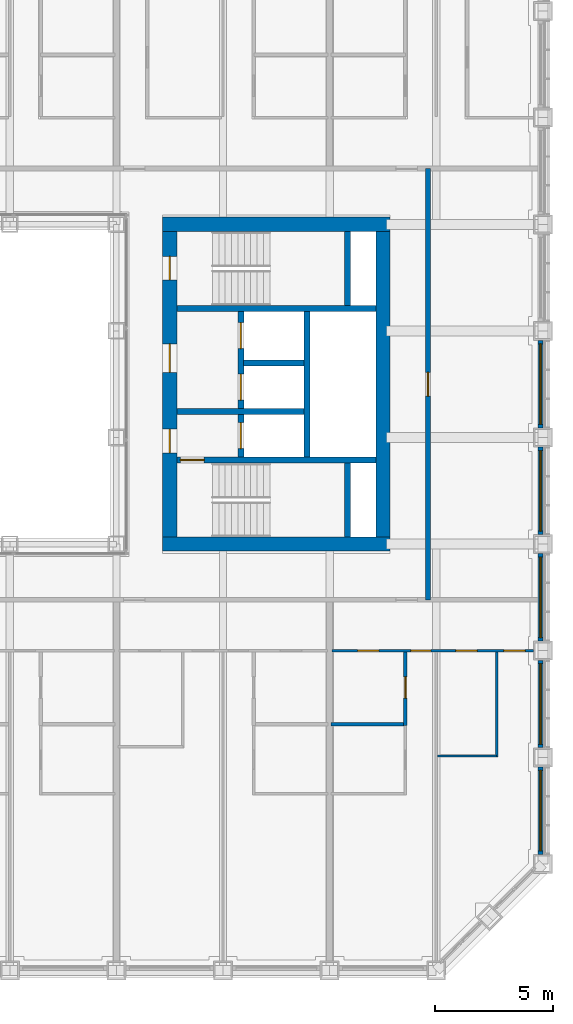
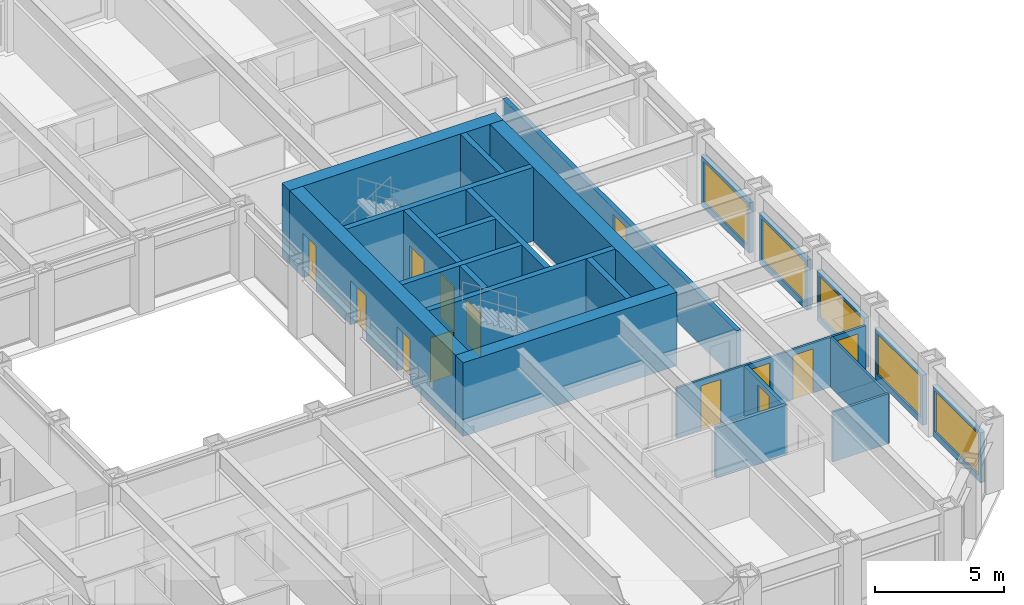
# One storey, part 12 of 21: 23 walls, 13 doors, 5 windows, 18 openings.
"""IFC4 building model written with IfcOpenShell, lengths in metres."""

from ifc_helpers import new_model, si_unit, direction, frame, frame_2d, origin, place, context, subcontext, project, spatial, rectangle, extrude, material, layer, layer_set, type_object, element, fill, save


model = new_model("IFC4")

# Units and contexts
model_context = context("Model", 3, precision=1e-05, world=origin(), true_north=direction((0.0, 1.0)))
body_context = subcontext(model_context, "Body", "Model", "MODEL_VIEW")
ifc_project = project(units=[si_unit("LENGTHUNIT", "METRE"), si_unit("AREAUNIT", "SQUARE_METRE"), si_unit("VOLUMEUNIT", "CUBIC_METRE"), si_unit("PLANEANGLEUNIT", "RADIAN"), si_unit("MASSUNIT", "GRAM", prefix="KILO")], contexts=[model_context])

# Site, building, storey
site_placement = place(None, origin())
site = spatial("IfcSite", under=ifc_project, at=site_placement, CompositionType="ELEMENT")
building_placement = place(site_placement, origin())
building = spatial("IfcBuilding", under=site, at=building_placement, Name="Msasa Ring Tower", CompositionType="ELEMENT")
storey_placement = place(building_placement, frame((0.0, 0.0, 51.0)))
storey = spatial("IfcBuildingStorey", under=building, at=storey_placement, Name="L12", CompositionType="ELEMENT", Elevation=51.0)

# Walls
ifc_material_1 = material(Name="Concrete C60/75", Category="concrete")
ifc_layer_1 = layer(ifc_material_1, 0.60009765625)
ifc_layer_set_1 = layer_set([ifc_layer_1], Name="CW1 CORE WALL 600")
wall_type_1 = type_object("IfcWallType", Name="CW1 CORE WALL 600", PredefinedType="SHEAR", material=ifc_layer_set_1)
for number, where, z_axis, x_axis, name in (
    (1, (8.699951171875, -6.75, 0.0), (0.0, 0.0, 1.0), (1.0, 0.0, 0.0), "E core wall S L12"),
    (2, (8.699951171875, 6.75, 0.0), (0.0, 0.0, 1.0), (1.0, 0.0, 0.0), "E core wall N L12"),
):
    element("IfcWall", number, at=place(storey_placement, frame(where, z_axis=z_axis, x_axis=x_axis)), inside=storey, type_object=wall_type_1, Name=name, PredefinedType="SHEAR", context=body_context, shape_type="SweptSolid", body=[
        extrude(rectangle(XDim=9.60009765625, YDim=0.60009765625, at=frame_2d((4.800048828125, 0.0))), origin(), (0.0, 0.0, 1.0), 3.5),
    ])

# Wall, openings, doors
wall_1_placement = place(storey_placement, frame((9.0, -6.449951171875, 0.0), z_axis=(0.0, 0.0, 1.0), x_axis=(0.0, 1.0, 0.0)))
wall_1 = element("IfcWall", 3, at=wall_1_placement, inside=storey, type_object=wall_type_1, Name="E core wall W L12", PredefinedType="SHEAR", context=body_context, shape_type="SweptSolid", body=[
    extrude(rectangle(XDim=12.89990234375, YDim=0.60009765625, at=frame_2d((6.449951171875, 0.0))), origin(), (0.0, 0.0, 1.0), 3.5),
])
opening_1_placement = place(wall_1_placement, frame((3.550048828125, 0.0, 0.0)))
opening_1 = element("IfcOpeningElement", 4, at=opening_1_placement, cuts=wall_1, Name="Opening RC-043", PredefinedType="OPENING", context=body_context, shape_type="SweptSolid", body=[
    extrude(rectangle(XDim=1.0, YDim=2.10009765625, at=frame_2d((0.5, 1.050048828125))), frame((0.0, 0.31005859375, 0.0), z_axis=(0.0, -1.0, 0.0), x_axis=(1.0, 0.0, 0.0)), (0.0, 0.0, 1.0), 0.6201171875),
])
opening_2_placement = place(wall_1_placement, frame((6.949951171875, 0.0, 0.0)))
opening_2 = element("IfcOpeningElement", 5, at=opening_2_placement, cuts=wall_1, Name="Opening RC-039", PredefinedType="OPENING", context=body_context, shape_type="SweptSolid", body=[
    extrude(rectangle(XDim=1.199951171875, YDim=2.10009765625, at=frame_2d((0.60009765625, 1.050048828125))), frame((0.0, 0.31005859375, 0.0), z_axis=(0.0, -1.0, 0.0), x_axis=(1.0, 0.0, 0.0)), (0.0, 0.0, 1.0), 0.6201171875),
])
opening_3_placement = place(wall_1_placement, frame((10.85009765625, 0.0, 0.0)))
opening_3 = element("IfcOpeningElement", 6, at=opening_3_placement, cuts=wall_1, Name="Opening RC-037", PredefinedType="OPENING", context=body_context, shape_type="SweptSolid", body=[
    extrude(rectangle(XDim=1.0, YDim=2.10009765625, at=frame_2d((0.5, 1.050048828125))), frame((0.0, 0.31005859375, 0.0), z_axis=(0.0, -1.0, 0.0), x_axis=(1.0, 0.0, 0.0)), (0.0, 0.0, 1.0), 0.6201171875),
])
ifc_material_2 = material(Name="Timber door leaf in a steel frame", Category="steel")
door_type_1 = type_object("IfcDoorType", Name="D4 LOBBY DOOR 1000x2100", OperationType="SINGLE_SWING_LEFT", PredefinedType="DOOR", material=ifc_material_2)
door_1_placement = place(opening_1_placement, origin())
door_1 = element("IfcDoor", 7, at=door_1_placement, inside=storey, type_object=door_type_1, Name="Door L12-EFFL", OperationType="SINGLE_SWING_LEFT", OverallHeight=2.10009765625, OverallWidth=1.0, PredefinedType="DOOR", context=body_context, shape_type="SweptSolid", body=[
    extrude(rectangle(XDim=1.0, YDim=2.10009765625, at=frame_2d((0.5, 1.050048828125))), frame((0.0, 0.02490234375, 0.0), z_axis=(0.0, -1.0, 0.0), x_axis=(1.0, 0.0, 0.0)), (0.0, 0.0, 1.0), 0.050048828125),
])
fill(opening_1, door_1)
ifc_material_3 = material(Name="Timber door leaf in a steel frame", Category="steel")
door_type_2 = type_object("IfcDoorType", Name="D5 WIDE LOBBY DOOR 1200x2100", OperationType="SINGLE_SWING_LEFT", PredefinedType="DOOR", material=ifc_material_3)
door_2_placement = place(opening_2_placement, origin())
door_2 = element("IfcDoor", 8, at=door_2_placement, inside=storey, type_object=door_type_2, Name="Door L12-ELL", OperationType="SINGLE_SWING_RIGHT", OverallHeight=2.10009765625, OverallWidth=1.199951171875, PredefinedType="DOOR", context=body_context, shape_type="SweptSolid", body=[
    extrude(rectangle(XDim=1.199951171875, YDim=2.10009765625, at=frame_2d((0.60009765625, 1.050048828125))), frame((0.0, 0.02490234375, 0.0), z_axis=(0.0, -1.0, 0.0), x_axis=(1.0, 0.0, 0.0)), (0.0, 0.0, 1.0), 0.050048828125),
])
fill(opening_2, door_2)
ifc_material_4 = material(Name="Timber door leaf in a steel frame", Category="steel")
door_type_3 = type_object("IfcDoorType", Name="D6 STAIR DOOR 1000x2100", OperationType="SINGLE_SWING_LEFT", PredefinedType="DOOR", material=ifc_material_4)
door_3_placement = place(opening_3_placement, origin())
door_3 = element("IfcDoor", 9, at=door_3_placement, inside=storey, type_object=door_type_3, Name="Door L12-ESTB", OperationType="SINGLE_SWING_RIGHT", OverallHeight=2.10009765625, OverallWidth=1.0, PredefinedType="DOOR", context=body_context, shape_type="SweptSolid", body=[
    extrude(rectangle(XDim=1.0, YDim=2.10009765625, at=frame_2d((0.5, 1.050048828125))), frame((0.0, 0.02490234375, 0.0), z_axis=(0.0, -1.0, 0.0), x_axis=(1.0, 0.0, 0.0)), (0.0, 0.0, 1.0), 0.050048828125),
])
fill(opening_3, door_3)

# Wall
wall_2_placement = place(storey_placement, frame((18.0, -6.449951171875, 0.0), z_axis=(0.0, 0.0, 1.0), x_axis=(0.0, 1.0, 0.0)))
element("IfcWall", 10, at=wall_2_placement, inside=storey, type_object=wall_type_1, Name="E core wall E L12", PredefinedType="SHEAR", context=body_context, shape_type="SweptSolid", body=[
    extrude(rectangle(XDim=12.89990234375, YDim=0.60009765625, at=frame_2d((6.449951171875, 0.0))), origin(), (0.0, 0.0, 1.0), 3.5),
])

# Wall, opening, door
ifc_material_5 = material(Name="Concrete C60/75", Category="concrete")
ifc_layer_2 = layer(ifc_material_5, 0.25)
ifc_layer_set_2 = layer_set([ifc_layer_2], Name="CW4 CORE INNER WALL 250")
wall_type_2 = type_object("IfcWallType", Name="CW4 CORE INNER WALL 250", PredefinedType="SHEAR", material=ifc_layer_set_2)
wall_3_placement = place(storey_placement, frame((9.300048828125, -3.199951171875, 0.0), z_axis=(0.0, 0.0, 1.0), x_axis=(1.0, 0.0, 0.0)))
wall_3 = element("IfcWall", 11, at=wall_3_placement, inside=storey, type_object=wall_type_2, Name="E core wall STAIRA L12", PredefinedType="SHEAR", context=body_context, shape_type="SweptSolid", body=[
    extrude(rectangle(XDim=8.39990234375, YDim=0.25, at=frame_2d((4.199951171875, 0.0))), origin(), (0.0, 0.0, 1.0), 3.5),
])
opening_4_placement = place(wall_3_placement, frame((0.14990234375, 0.0, 0.0)))
opening_4 = element("IfcOpeningElement", 12, at=opening_4_placement, cuts=wall_3, Name="Opening RC-045", PredefinedType="OPENING", context=body_context, shape_type="SweptSolid", body=[
    extrude(rectangle(XDim=1.0, YDim=2.10009765625, at=frame_2d((0.5, 1.050048828125))), frame((0.0, 0.135009765625, 0.0), z_axis=(0.0, -1.0, 0.0), x_axis=(1.0, 0.0, 0.0)), (0.0, 0.0, 1.0), 0.27001953125),
])
door_4_placement = place(opening_4_placement, origin())
door_4 = element("IfcDoor", 13, at=door_4_placement, inside=storey, type_object=door_type_3, Name="Door L12-ESTA", OperationType="SINGLE_SWING_LEFT", OverallHeight=2.10009765625, OverallWidth=1.0, PredefinedType="DOOR", context=body_context, shape_type="SweptSolid", body=[
    extrude(rectangle(XDim=1.0, YDim=2.10009765625, at=frame_2d((0.5, 1.050048828125))), frame((0.0, 0.02490234375, 0.0), z_axis=(0.0, -1.0, 0.0), x_axis=(1.0, 0.0, 0.0)), (0.0, 0.0, 1.0), 0.050048828125),
])
fill(opening_4, door_4)

# Walls
wall_4_placement = place(storey_placement, frame((9.300048828125, 3.199951171875, 0.0), z_axis=(0.0, 0.0, 1.0), x_axis=(1.0, 0.0, 0.0)))
element("IfcWall", 14, at=wall_4_placement, inside=storey, type_object=wall_type_2, Name="E core wall STAIRB L12", PredefinedType="SHEAR", context=body_context, shape_type="SweptSolid", body=[
    extrude(rectangle(XDim=8.39990234375, YDim=0.25, at=frame_2d((4.199951171875, 0.0))), origin(), (0.0, 0.0, 1.0), 3.5),
])
for number, where, z_axis, x_axis, name in (
    (15, (16.5, -6.449951171875, 0.0), (0.0, 0.0, 1.0), (0.0, 1.0, 0.0), "E core wall RISERA L12"),
    (16, (16.5, 3.324951171875, 0.0), (0.0, 0.0, 1.0), (0.0, 1.0, 0.0), "E core wall RISERB L12"),
):
    element("IfcWall", number, at=place(storey_placement, frame(where, z_axis=z_axis, x_axis=x_axis)), inside=storey, type_object=wall_type_2, Name=name, PredefinedType="SHEAR", context=body_context, shape_type="SweptSolid", body=[
        extrude(rectangle(XDim=3.125, YDim=0.25, at=frame_2d((1.5625, 0.0))), origin(), (0.0, 0.0, 1.0), 3.5),
    ])
wall_5_placement = place(storey_placement, frame((9.300048828125, -1.14990234375, 0.0), z_axis=(0.0, 0.0, 1.0), x_axis=(1.0, 0.0, 0.0)))
element("IfcWall", 17, at=wall_5_placement, inside=storey, type_object=wall_type_2, Name="E core wall FFL L12", PredefinedType="SHEAR", context=body_context, shape_type="SweptSolid", body=[
    extrude(rectangle(XDim=5.375, YDim=0.25, at=frame_2d((2.6875, 0.0))), origin(), (0.0, 0.0, 1.0), 3.5),
])

# Wall, openings, doors
wall_6_placement = place(storey_placement, frame((12.0, -3.074951171875, 0.0), z_axis=(0.0, 0.0, 1.0), x_axis=(0.0, 1.0, 0.0)))
wall_6 = element("IfcWall", 18, at=wall_6_placement, inside=storey, type_object=wall_type_2, Name="E core wall LOBBY L12", PredefinedType="SHEAR", context=body_context, shape_type="SweptSolid", body=[
    extrude(rectangle(XDim=6.14990234375, YDim=0.25, at=frame_2d((3.074951171875, 0.0))), origin(), (0.0, 0.0, 1.0), 3.5),
])
opening_5_placement = place(wall_6_placement, frame((0.35009765625, 0.0, 0.0)))
opening_5 = element("IfcOpeningElement", 19, at=opening_5_placement, cuts=wall_6, Name="Opening LD1", PredefinedType="OPENING", context=body_context, shape_type="SweptSolid", body=[
    extrude(rectangle(XDim=1.10009765625, YDim=2.10009765625, at=frame_2d((0.550048828125, 1.050048828125))), frame((0.0, 0.135009765625, 0.0), z_axis=(0.0, -1.0, 0.0), x_axis=(1.0, 0.0, 0.0)), (0.0, 0.0, 1.0), 0.27001953125),
])
opening_6_placement = place(wall_6_placement, frame((2.39990234375, 0.0, 0.0)))
opening_6 = element("IfcOpeningElement", 20, at=opening_6_placement, cuts=wall_6, Name="Opening LD1", PredefinedType="OPENING", context=body_context, shape_type="SweptSolid", body=[
    extrude(rectangle(XDim=1.10009765625, YDim=2.10009765625, at=frame_2d((0.550048828125, 1.050048828125))), frame((0.0, 0.135009765625, 0.0), z_axis=(0.0, -1.0, 0.0), x_axis=(1.0, 0.0, 0.0)), (0.0, 0.0, 1.0), 0.27001953125),
])
opening_7_placement = place(wall_6_placement, frame((4.574951171875, 0.0, 0.0)))
opening_7 = element("IfcOpeningElement", 21, at=opening_7_placement, cuts=wall_6, Name="Opening LD1", PredefinedType="OPENING", context=body_context, shape_type="SweptSolid", body=[
    extrude(rectangle(XDim=1.10009765625, YDim=2.10009765625, at=frame_2d((0.550048828125, 1.050048828125))), frame((0.0, 0.135009765625, 0.0), z_axis=(0.0, -1.0, 0.0), x_axis=(1.0, 0.0, 0.0)), (0.0, 0.0, 1.0), 0.27001953125),
])
ifc_material_6 = material(Name="Stainless steel lift landing door", Category="steel")
door_type_4 = type_object("IfcDoorType", Name="LD1 LIFT LANDING DOOR 1100x2100", OperationType="DOUBLE_DOOR_SLIDING", PredefinedType="DOOR", material=ifc_material_6)
door_5_placement = place(opening_5_placement, origin())
door_5 = element("IfcDoor", 22, at=door_5_placement, inside=storey, type_object=door_type_4, Name="Lift landing door FL-E L12", OperationType="DOUBLE_DOOR_SLIDING", OverallHeight=2.10009765625, OverallWidth=1.10009765625, PredefinedType="DOOR", context=body_context, shape_type="SweptSolid", body=[
    extrude(rectangle(XDim=1.10009765625, YDim=2.10009765625, at=frame_2d((0.550048828125, 1.050048828125))), frame((0.0, 0.02490234375, 0.0), z_axis=(0.0, -1.0, 0.0), x_axis=(1.0, 0.0, 0.0)), (0.0, 0.0, 1.0), 0.050048828125),
])
fill(opening_5, door_5)
door_6_placement = place(opening_6_placement, origin())
door_6 = element("IfcDoor", 23, at=door_6_placement, inside=storey, type_object=door_type_4, Name="Lift landing door PL-R1 L12", OperationType="DOUBLE_DOOR_SLIDING", OverallHeight=2.10009765625, OverallWidth=1.10009765625, PredefinedType="DOOR", context=body_context, shape_type="SweptSolid", body=[
    extrude(rectangle(XDim=1.10009765625, YDim=2.10009765625, at=frame_2d((0.550048828125, 1.050048828125))), frame((0.0, 0.02490234375, 0.0), z_axis=(0.0, -1.0, 0.0), x_axis=(1.0, 0.0, 0.0)), (0.0, 0.0, 1.0), 0.050048828125),
])
fill(opening_6, door_6)
door_7_placement = place(opening_7_placement, origin())
door_7 = element("IfcDoor", 24, at=door_7_placement, inside=storey, type_object=door_type_4, Name="Lift landing door PL-R2 L12", OperationType="DOUBLE_DOOR_SLIDING", OverallHeight=2.10009765625, OverallWidth=1.10009765625, PredefinedType="DOOR", context=body_context, shape_type="SweptSolid", body=[
    extrude(rectangle(XDim=1.10009765625, YDim=2.10009765625, at=frame_2d((0.550048828125, 1.050048828125))), frame((0.0, 0.02490234375, 0.0), z_axis=(0.0, -1.0, 0.0), x_axis=(1.0, 0.0, 0.0)), (0.0, 0.0, 1.0), 0.050048828125),
])
fill(opening_7, door_7)

# Walls
wall_7_placement = place(storey_placement, frame((14.800048828125, -3.074951171875, 0.0), z_axis=(0.0, 0.0, 1.0), x_axis=(0.0, 1.0, 0.0)))
element("IfcWall", 25, at=wall_7_placement, inside=storey, type_object=wall_type_2, Name="E core wall SHAFT L12", PredefinedType="SHEAR", context=body_context, shape_type="SweptSolid", body=[
    extrude(rectangle(XDim=6.14990234375, YDim=0.25, at=frame_2d((3.074951171875, 0.0))), origin(), (0.0, 0.0, 1.0), 3.5),
])
wall_8_placement = place(storey_placement, frame((12.125, 0.89990234375, 0.0), z_axis=(0.0, 0.0, 1.0), x_axis=(1.0, 0.0, 0.0)))
element("IfcWall", 26, at=wall_8_placement, inside=storey, type_object=wall_type_2, Name="E core wall LIFT1 L12", PredefinedType="SHEAR", context=body_context, shape_type="SweptSolid", body=[
    extrude(rectangle(XDim=2.550048828125, YDim=0.25, at=frame_2d((1.27490234375, 0.0))), origin(), (0.0, 0.0, 1.0), 3.5),
])

# Wall, opening, window
ifc_material_7 = material(Name="Terracotta rainscreen on blockwork", Category="masonry")
ifc_layer_3 = layer(ifc_material_7, 0.199951171875)
ifc_layer_set_3 = layer_set([ifc_layer_3], Name="FW1 TERRACOTTA-LINED INFILL BAY WALL 200")
wall_type_3 = type_object("IfcWallType", Name="FW1 TERRACOTTA-LINED INFILL BAY WALL 200", PredefinedType="SOLIDWALL", material=ifc_layer_set_3)
wall_9_placement = place(storey_placement, frame((24.64990234375, -19.844970703125, 0.0), z_axis=(0.0, 0.0, 1.0), x_axis=(0.0, 1.0, 0.0)))
wall_9 = element("IfcWall", 27, at=wall_9_placement, inside=storey, type_object=wall_type_3, Name="Infill bay wall E L12 11", PredefinedType="SOLIDWALL", context=body_context, shape_type="SweptSolid", body=[
    extrude(rectangle(XDim=3.68994140625, YDim=0.199951171875, at=frame_2d((1.844970703125, 0.0))), origin(), (0.0, 0.0, 1.0), 2.37890625),
])
opening_8_placement = place(wall_9_placement, frame((0.14501953125, 0.0, 0.300048828125)))
opening_8 = element("IfcOpeningElement", 28, at=opening_8_placement, cuts=wall_9, Name="Opening WN1", PredefinedType="OPENING", context=body_context, shape_type="SweptSolid", body=[
    extrude(rectangle(XDim=3.39990234375, YDim=1.928955078125, at=frame_2d((1.699951171875, 0.96435546875))), frame((0.0, 0.10986328125, 0.0), z_axis=(0.0, -1.0, 0.0), x_axis=(1.0, 0.0, 0.0)), (0.0, 0.0, 1.0), 0.219970703125),
])
ifc_material_8 = material(Name="Aluminium frame with clear glass", Category="aluminium")
window_type = type_object("IfcWindowType", Name="WN1 RESIDENCE WINDOW 3400x1929", PartitioningType="SINGLE_PANEL", PredefinedType="WINDOW", material=ifc_material_8)
window_1_placement = place(opening_8_placement, origin())
window_1 = element("IfcWindow", 29, at=window_1_placement, inside=storey, type_object=window_type, Name="Window E L12 11", OverallHeight=1.928955078125, OverallWidth=3.39990234375, PartitioningType="SINGLE_PANEL", PredefinedType="WINDOW", context=body_context, shape_type="SweptSolid", body=[
    extrude(rectangle(XDim=3.39990234375, YDim=1.928955078125, at=frame_2d((1.699951171875, 0.96435546875))), frame((0.0, 0.030029296875, 0.0), z_axis=(0.0, -1.0, 0.0), x_axis=(1.0, 0.0, 0.0)), (0.0, 0.0, 1.0), 0.06005859375),
])
fill(opening_8, window_1)

wall_10_placement = place(storey_placement, frame((24.64990234375, -15.344970703125, 0.0), z_axis=(0.0, 0.0, 1.0), x_axis=(0.0, 1.0, 0.0)))
wall_10 = element("IfcWall", 30, at=wall_10_placement, inside=storey, type_object=wall_type_3, Name="Infill bay wall E L12 12", PredefinedType="SOLIDWALL", context=body_context, shape_type="SweptSolid", body=[
    extrude(rectangle(XDim=3.68994140625, YDim=0.199951171875, at=frame_2d((1.844970703125, 0.0))), origin(), (0.0, 0.0, 1.0), 2.37890625),
])
opening_9_placement = place(wall_10_placement, frame((0.14501953125, 0.0, 0.300048828125)))
opening_9 = element("IfcOpeningElement", 31, at=opening_9_placement, cuts=wall_10, Name="Opening WN1", PredefinedType="OPENING", context=body_context, shape_type="SweptSolid", body=[
    extrude(rectangle(XDim=3.39990234375, YDim=1.928955078125, at=frame_2d((1.699951171875, 0.96435546875))), frame((0.0, 0.10986328125, 0.0), z_axis=(0.0, -1.0, 0.0), x_axis=(1.0, 0.0, 0.0)), (0.0, 0.0, 1.0), 0.219970703125),
])
window_2_placement = place(opening_9_placement, origin())
window_2 = element("IfcWindow", 32, at=window_2_placement, inside=storey, type_object=window_type, Name="Window E L12 12", OverallHeight=1.928955078125, OverallWidth=3.39990234375, PartitioningType="SINGLE_PANEL", PredefinedType="WINDOW", context=body_context, shape_type="SweptSolid", body=[
    extrude(rectangle(XDim=3.39990234375, YDim=1.928955078125, at=frame_2d((1.699951171875, 0.96435546875))), frame((0.0, 0.030029296875, 0.0), z_axis=(0.0, -1.0, 0.0), x_axis=(1.0, 0.0, 0.0)), (0.0, 0.0, 1.0), 0.06005859375),
])
fill(opening_9, window_2)

wall_11_placement = place(storey_placement, frame((24.64990234375, -10.844970703125, 0.0), z_axis=(0.0, 0.0, 1.0), x_axis=(0.0, 1.0, 0.0)))
wall_11 = element("IfcWall", 33, at=wall_11_placement, inside=storey, type_object=wall_type_3, Name="Infill bay wall E L12 13", PredefinedType="SOLIDWALL", context=body_context, shape_type="SweptSolid", body=[
    extrude(rectangle(XDim=3.68994140625, YDim=0.199951171875, at=frame_2d((1.844970703125, 0.0))), origin(), (0.0, 0.0, 1.0), 2.37890625),
])
opening_10_placement = place(wall_11_placement, frame((0.14501953125, 0.0, 0.300048828125)))
opening_10 = element("IfcOpeningElement", 34, at=opening_10_placement, cuts=wall_11, Name="Opening WN1", PredefinedType="OPENING", context=body_context, shape_type="SweptSolid", body=[
    extrude(rectangle(XDim=3.39990234375, YDim=1.928955078125, at=frame_2d((1.699951171875, 0.96435546875))), frame((0.0, 0.10986328125, 0.0), z_axis=(0.0, -1.0, 0.0), x_axis=(1.0, 0.0, 0.0)), (0.0, 0.0, 1.0), 0.219970703125),
])
window_3_placement = place(opening_10_placement, origin())
window_3 = element("IfcWindow", 35, at=window_3_placement, inside=storey, type_object=window_type, Name="Window E L12 13", OverallHeight=1.928955078125, OverallWidth=3.39990234375, PartitioningType="SINGLE_PANEL", PredefinedType="WINDOW", context=body_context, shape_type="SweptSolid", body=[
    extrude(rectangle(XDim=3.39990234375, YDim=1.928955078125, at=frame_2d((1.699951171875, 0.96435546875))), frame((0.0, 0.030029296875, 0.0), z_axis=(0.0, -1.0, 0.0), x_axis=(1.0, 0.0, 0.0)), (0.0, 0.0, 1.0), 0.06005859375),
])
fill(opening_10, window_3)

wall_12_placement = place(storey_placement, frame((24.64990234375, -6.344970703125, 0.0), z_axis=(0.0, 0.0, 1.0), x_axis=(0.0, 1.0, 0.0)))
wall_12 = element("IfcWall", 36, at=wall_12_placement, inside=storey, type_object=wall_type_3, Name="Infill bay wall E L12 14", PredefinedType="SOLIDWALL", context=body_context, shape_type="SweptSolid", body=[
    extrude(rectangle(XDim=3.68994140625, YDim=0.199951171875, at=frame_2d((1.844970703125, 0.0))), origin(), (0.0, 0.0, 1.0), 2.37890625),
])
opening_11_placement = place(wall_12_placement, frame((0.14501953125, 0.0, 0.300048828125)))
opening_11 = element("IfcOpeningElement", 37, at=opening_11_placement, cuts=wall_12, Name="Opening WN1", PredefinedType="OPENING", context=body_context, shape_type="SweptSolid", body=[
    extrude(rectangle(XDim=3.39990234375, YDim=1.928955078125, at=frame_2d((1.699951171875, 0.96435546875))), frame((0.0, 0.10986328125, 0.0), z_axis=(0.0, -1.0, 0.0), x_axis=(1.0, 0.0, 0.0)), (0.0, 0.0, 1.0), 0.219970703125),
])
window_4_placement = place(opening_11_placement, origin())
window_4 = element("IfcWindow", 38, at=window_4_placement, inside=storey, type_object=window_type, Name="Window E L12 14", OverallHeight=1.928955078125, OverallWidth=3.39990234375, PartitioningType="SINGLE_PANEL", PredefinedType="WINDOW", context=body_context, shape_type="SweptSolid", body=[
    extrude(rectangle(XDim=3.39990234375, YDim=1.928955078125, at=frame_2d((1.699951171875, 0.96435546875))), frame((0.0, 0.030029296875, 0.0), z_axis=(0.0, -1.0, 0.0), x_axis=(1.0, 0.0, 0.0)), (0.0, 0.0, 1.0), 0.06005859375),
])
fill(opening_11, window_4)

wall_13_placement = place(storey_placement, frame((24.64990234375, -1.844970703125, 0.0), z_axis=(0.0, 0.0, 1.0), x_axis=(0.0, 1.0, 0.0)))
wall_13 = element("IfcWall", 39, at=wall_13_placement, inside=storey, type_object=wall_type_3, Name="Infill bay wall E L12 15", PredefinedType="SOLIDWALL", context=body_context, shape_type="SweptSolid", body=[
    extrude(rectangle(XDim=3.68994140625, YDim=0.199951171875, at=frame_2d((1.844970703125, 0.0))), origin(), (0.0, 0.0, 1.0), 2.37890625),
])
opening_12_placement = place(wall_13_placement, frame((0.14501953125, 0.0, 0.300048828125)))
opening_12 = element("IfcOpeningElement", 40, at=opening_12_placement, cuts=wall_13, Name="Opening WN1", PredefinedType="OPENING", context=body_context, shape_type="SweptSolid", body=[
    extrude(rectangle(XDim=3.39990234375, YDim=1.928955078125, at=frame_2d((1.699951171875, 0.96435546875))), frame((0.0, 0.10986328125, 0.0), z_axis=(0.0, -1.0, 0.0), x_axis=(1.0, 0.0, 0.0)), (0.0, 0.0, 1.0), 0.219970703125),
])
window_5_placement = place(opening_12_placement, origin())
window_5 = element("IfcWindow", 41, at=window_5_placement, inside=storey, type_object=window_type, Name="Window E L12 15", OverallHeight=1.928955078125, OverallWidth=3.39990234375, PartitioningType="SINGLE_PANEL", PredefinedType="WINDOW", context=body_context, shape_type="SweptSolid", body=[
    extrude(rectangle(XDim=3.39990234375, YDim=1.928955078125, at=frame_2d((1.699951171875, 0.96435546875))), frame((0.0, 0.030029296875, 0.0), z_axis=(0.0, -1.0, 0.0), x_axis=(1.0, 0.0, 0.0)), (0.0, 0.0, 1.0), 0.06005859375),
])
fill(opening_12, window_5)

# Wall, opening, door
ifc_material_9 = material(Name="Concrete blockwork", Category="masonry")
ifc_layer_4 = layer(ifc_material_9, 0.199951171875)
ifc_layer_set_4 = layer_set([ifc_layer_4], Name="PT1 CORRIDOR WALL 200")
wall_type_4 = type_object("IfcWallType", Name="PT1 CORRIDOR WALL 200", PredefinedType="PARTITIONING", material=ifc_layer_set_4)
wall_14_placement = place(storey_placement, frame((19.89990234375, -9.10009765625, 0.0), z_axis=(0.0, 0.0, 1.0), x_axis=(0.0, 1.0, 0.0)))
wall_14 = element("IfcWall", 42, at=wall_14_placement, inside=storey, type_object=wall_type_4, Name="Corridor wall L12-STRE", PredefinedType="PARTITIONING", context=body_context, shape_type="SweptSolid", body=[
    extrude(rectangle(XDim=18.2001953125, YDim=0.199951171875, at=frame_2d((9.10009765625, 0.0))), origin(), (0.0, 0.0, 1.0), 2.373291015625),
])
opening_13_placement = place(wall_14_placement, frame((8.60009765625, 0.0, 0.0)))
opening_13 = element("IfcOpeningElement", 43, at=opening_13_placement, cuts=wall_14, Name="Opening RC-040", PredefinedType="OPENING", context=body_context, shape_type="SweptSolid", body=[
    extrude(rectangle(XDim=1.0, YDim=2.10009765625, at=frame_2d((0.5, 1.050048828125))), frame((0.0, 0.10986328125, 0.0), z_axis=(0.0, -1.0, 0.0), x_axis=(1.0, 0.0, 0.0)), (0.0, 0.0, 1.0), 0.219970703125),
])
ifc_material_10 = material(Name="Timber door leaf in a steel frame", Category="steel")
door_type_5 = type_object("IfcDoorType", Name="D10 STORE DOOR 1000x2100", OperationType="SINGLE_SWING_LEFT", PredefinedType="DOOR", material=ifc_material_10)
door_8_placement = place(opening_13_placement, origin())
door_8 = element("IfcDoor", 44, at=door_8_placement, inside=storey, type_object=door_type_5, Name="Door L12-RSE", OperationType="SINGLE_SWING_LEFT", OverallHeight=2.10009765625, OverallWidth=1.0, PredefinedType="DOOR", context=body_context, shape_type="SweptSolid", body=[
    extrude(rectangle(XDim=1.0, YDim=2.10009765625, at=frame_2d((0.5, 1.050048828125))), frame((0.0, 0.02490234375, 0.0), z_axis=(0.0, -1.0, 0.0), x_axis=(1.0, 0.0, 0.0)), (0.0, 0.0, 1.0), 0.050048828125),
])
fill(opening_13, door_8)

# Wall, openings, doors
ifc_material_11 = material(Name="Gypsum board on steel studs", Category="steel")
ifc_layer_5 = layer(ifc_material_11, 0.10009765625)
ifc_layer_set_5 = layer_set([ifc_layer_5], Name="PT2 STUD PARTITION 100")
wall_type_5 = type_object("IfcWallType", Name="PT2 STUD PARTITION 100", PredefinedType="PARTITIONING", material=ifc_layer_set_5)
wall_15_placement = place(storey_placement, frame((15.85009765625, -11.25, 0.0), z_axis=(0.0, 0.0, 1.0), x_axis=(1.0, 0.0, 0.0)))
wall_15 = element("IfcWall", 45, at=wall_15_placement, inside=storey, type_object=wall_type_5, Name="Partition L12-US04HY", PredefinedType="PARTITIONING", context=body_context, shape_type="SweptSolid", body=[
    extrude(rectangle(XDim=8.5, YDim=0.10009765625, at=frame_2d((4.25, 0.0))), origin(), (0.0, 0.0, 1.0), 2.373291015625),
])
opening_14_placement = place(wall_15_placement, frame((5.22509765625, 0.0, 0.0)))
opening_14 = element("IfcOpeningElement", 46, at=opening_14_placement, cuts=wall_15, Name="Opening RC-072", PredefinedType="OPENING", context=body_context, shape_type="SweptSolid", body=[
    extrude(rectangle(XDim=0.89990234375, YDim=2.10009765625, at=frame_2d((0.449951171875, 1.050048828125))), frame((0.0, 0.06005859375, 0.0), z_axis=(0.0, -1.0, 0.0), x_axis=(1.0, 0.0, 0.0)), (0.0, 0.0, 1.0), 0.1201171875),
])
opening_15_placement = place(wall_15_placement, frame((7.25, 0.0, 0.0)))
opening_15 = element("IfcOpeningElement", 47, at=opening_15_placement, cuts=wall_15, Name="Opening RC-073", PredefinedType="OPENING", context=body_context, shape_type="SweptSolid", body=[
    extrude(rectangle(XDim=0.89990234375, YDim=2.10009765625, at=frame_2d((0.449951171875, 1.050048828125))), frame((0.0, 0.06005859375, 0.0), z_axis=(0.0, -1.0, 0.0), x_axis=(1.0, 0.0, 0.0)), (0.0, 0.0, 1.0), 0.1201171875),
])
opening_16_placement = place(wall_15_placement, frame((3.324951171875, 0.0, 0.0)))
opening_16 = element("IfcOpeningElement", 48, at=opening_16_placement, cuts=wall_15, Name="Opening RC-071", PredefinedType="OPENING", context=body_context, shape_type="SweptSolid", body=[
    extrude(rectangle(XDim=0.85009765625, YDim=2.10009765625, at=frame_2d((0.425048828125, 1.050048828125))), frame((0.0, 0.06005859375, 0.0), z_axis=(0.0, -1.0, 0.0), x_axis=(1.0, 0.0, 0.0)), (0.0, 0.0, 1.0), 0.1201171875),
])
opening_17_placement = place(wall_15_placement, frame((1.080078125, 0.0, 0.0)))
opening_17 = element("IfcOpeningElement", 49, at=opening_17_placement, cuts=wall_15, Name="Opening RC-070", PredefinedType="OPENING", context=body_context, shape_type="SweptSolid", body=[
    extrude(rectangle(XDim=0.89990234375, YDim=2.10009765625, at=frame_2d((0.449951171875, 1.050048828125))), frame((0.0, 0.06005859375, 0.0), z_axis=(0.0, -1.0, 0.0), x_axis=(1.0, 0.0, 0.0)), (0.0, 0.0, 1.0), 0.1201171875),
])
ifc_material_12 = material(Name="Timber door leaf in a steel frame", Category="steel")
door_type_6 = type_object("IfcDoorType", Name="D14 BEDROOM DOOR 850x2100", OperationType="SINGLE_SWING_LEFT", PredefinedType="DOOR", material=ifc_material_12)
door_9_placement = place(opening_16_placement, origin())
door_9 = element("IfcDoor", 50, at=door_9_placement, inside=storey, type_object=door_type_6, Name="Door L12-US04R1", OperationType="SINGLE_SWING_LEFT", OverallHeight=2.10009765625, OverallWidth=0.85009765625, PredefinedType="DOOR", context=body_context, shape_type="SweptSolid", body=[
    extrude(rectangle(XDim=0.85009765625, YDim=2.10009765625, at=frame_2d((0.425048828125, 1.050048828125))), frame((0.0, 0.02490234375, 0.0), z_axis=(0.0, -1.0, 0.0), x_axis=(1.0, 0.0, 0.0)), (0.0, 0.0, 1.0), 0.050048828125),
])
fill(opening_16, door_9)
ifc_material_13 = material(Name="Timber door leaf in a steel frame", Category="steel")
door_type_7 = type_object("IfcDoorType", Name="D22 INTERNAL HALL DOOR 900x2100", OperationType="SINGLE_SWING_LEFT", PredefinedType="DOOR", material=ifc_material_13)
door_10_placement = place(opening_14_placement, origin())
door_10 = element("IfcDoor", 51, at=door_10_placement, inside=storey, type_object=door_type_7, Name="Door L12-US04K", OperationType="SINGLE_SWING_RIGHT", OverallHeight=2.10009765625, OverallWidth=0.89990234375, PredefinedType="DOOR", context=body_context, shape_type="SweptSolid", body=[
    extrude(rectangle(XDim=0.89990234375, YDim=2.10009765625, at=frame_2d((0.449951171875, 1.050048828125))), frame((0.0, 0.02490234375, 0.0), z_axis=(0.0, -1.0, 0.0), x_axis=(1.0, 0.0, 0.0)), (0.0, 0.0, 1.0), 0.050048828125),
])
fill(opening_14, door_10)
door_11_placement = place(opening_15_placement, origin())
door_11 = element("IfcDoor", 52, at=door_11_placement, inside=storey, type_object=door_type_7, Name="Door L12-US04L", OperationType="SINGLE_SWING_RIGHT", OverallHeight=2.10009765625, OverallWidth=0.89990234375, PredefinedType="DOOR", context=body_context, shape_type="SweptSolid", body=[
    extrude(rectangle(XDim=0.89990234375, YDim=2.10009765625, at=frame_2d((0.449951171875, 1.050048828125))), frame((0.0, 0.02490234375, 0.0), z_axis=(0.0, -1.0, 0.0), x_axis=(1.0, 0.0, 0.0)), (0.0, 0.0, 1.0), 0.050048828125),
])
fill(opening_15, door_11)
ifc_material_14 = material(Name="Timber door leaf in a steel frame", Category="steel")
door_type_8 = type_object("IfcDoorType", Name="D3 BATHROOM DOOR 900x2100", OperationType="SINGLE_SWING_LEFT", PredefinedType="DOOR", material=ifc_material_14)
door_12_placement = place(opening_17_placement, origin())
door_12 = element("IfcDoor", 53, at=door_12_placement, inside=storey, type_object=door_type_8, Name="Door L12-US04BH1", OperationType="SINGLE_SWING_LEFT", OverallHeight=2.10009765625, OverallWidth=0.89990234375, PredefinedType="DOOR", context=body_context, shape_type="SweptSolid", body=[
    extrude(rectangle(XDim=0.89990234375, YDim=2.10009765625, at=frame_2d((0.449951171875, 1.050048828125))), frame((0.0, 0.02490234375, 0.0), z_axis=(0.0, -1.0, 0.0), x_axis=(1.0, 0.0, 0.0)), (0.0, 0.0, 1.0), 0.050048828125),
])
fill(opening_17, door_12)

# Walls
wall_16_placement = place(storey_placement, frame((22.800048828125, -15.7421875, 0.0), z_axis=(0.0, 0.0, 1.0), x_axis=(0.0, 1.0, 0.0)))
element("IfcWall", 54, at=wall_16_placement, inside=storey, type_object=wall_type_5, Name="Partition L12-US04KX", PredefinedType="PARTITIONING", context=body_context, shape_type="SweptSolid", body=[
    extrude(rectangle(XDim=4.442138671875, YDim=0.10009765625, at=frame_2d((2.22119140625, 0.0))), origin(), (0.0, 0.0, 1.0), 2.373291015625),
])
wall_17_placement = place(storey_placement, frame((20.300048828125, -15.692138671875, 0.0), z_axis=(0.0, 0.0, 1.0), x_axis=(1.0, 0.0, 0.0)))
element("IfcWall", 55, at=wall_17_placement, inside=storey, type_object=wall_type_5, Name="Partition L12-US04KY", PredefinedType="PARTITIONING", context=body_context, shape_type="SweptSolid", body=[
    extrude(rectangle(XDim=2.5, YDim=0.10009765625, at=frame_2d((1.25, 0.0))), origin(), (0.0, 0.0, 1.0), 2.373291015625),
])

# Wall, opening, door
ifc_material_15 = material(Name="Moisture-resistant board on steel studs with a concealed cistern and pipe void, tiled", Category="steel")
ifc_layer_6 = layer(ifc_material_15, 0.14990234375)
ifc_layer_set_6 = layer_set([ifc_layer_6], Name="PT4 BATHROOM WET WALL 150")
wall_type_6 = type_object("IfcWallType", Name="PT4 BATHROOM WET WALL 150", PredefinedType="PARTITIONING", material=ifc_layer_set_6)
wall_18_placement = place(storey_placement, frame((18.949951171875, -14.39990234375, 0.0), z_axis=(0.0, 0.0, 1.0), x_axis=(0.0, 1.0, 0.0)))
wall_18 = element("IfcWall", 56, at=wall_18_placement, inside=storey, type_object=wall_type_6, Name="Partition L12-US04BX1", PredefinedType="PARTITIONING", context=body_context, shape_type="SweptSolid", body=[
    extrude(rectangle(XDim=3.099853515625, YDim=0.14990234375, at=frame_2d((1.5498046875, 0.0))), origin(), (0.0, 0.0, 1.0), 2.373291015625),
])
opening_18_placement = place(wall_18_placement, frame((1.14990234375, 0.0, 0.0)))
opening_18 = element("IfcOpeningElement", 57, at=opening_18_placement, cuts=wall_18, Name="Opening RC-079", PredefinedType="OPENING", context=body_context, shape_type="SweptSolid", body=[
    extrude(rectangle(XDim=0.89990234375, YDim=2.10009765625, at=frame_2d((0.449951171875, 1.050048828125))), frame((0.0, 0.0849609375, 0.0), z_axis=(0.0, -1.0, 0.0), x_axis=(1.0, 0.0, 0.0)), (0.0, 0.0, 1.0), 0.169921875),
])
door_13_placement = place(opening_18_placement, origin())
door_13 = element("IfcDoor", 58, at=door_13_placement, inside=storey, type_object=door_type_8, Name="Door L12-US04B1", OperationType="SINGLE_SWING_RIGHT", OverallHeight=2.10009765625, OverallWidth=0.89990234375, PredefinedType="DOOR", context=body_context, shape_type="SweptSolid", body=[
    extrude(rectangle(XDim=0.89990234375, YDim=2.10009765625, at=frame_2d((0.449951171875, 1.050048828125))), frame((0.0, 0.02490234375, 0.0), z_axis=(0.0, -1.0, 0.0), x_axis=(1.0, 0.0, 0.0)), (0.0, 0.0, 1.0), 0.050048828125),
])
fill(opening_18, door_13)

# Wall
wall_19_placement = place(storey_placement, frame((15.81005859375, -14.35009765625, 0.0), z_axis=(0.0, 0.0, 1.0), x_axis=(1.0, 0.0, 0.0)))
element("IfcWall", 59, at=wall_19_placement, inside=storey, type_object=wall_type_6, Name="Partition L12-US04BY1", PredefinedType="PARTITIONING", context=body_context, shape_type="SweptSolid", body=[
    extrude(rectangle(XDim=3.139892578125, YDim=0.14990234375, at=frame_2d((1.56982421875, 0.0))), origin(), (0.0, 0.0, 1.0), 2.373291015625),
])

save(model, "model.ifc")
